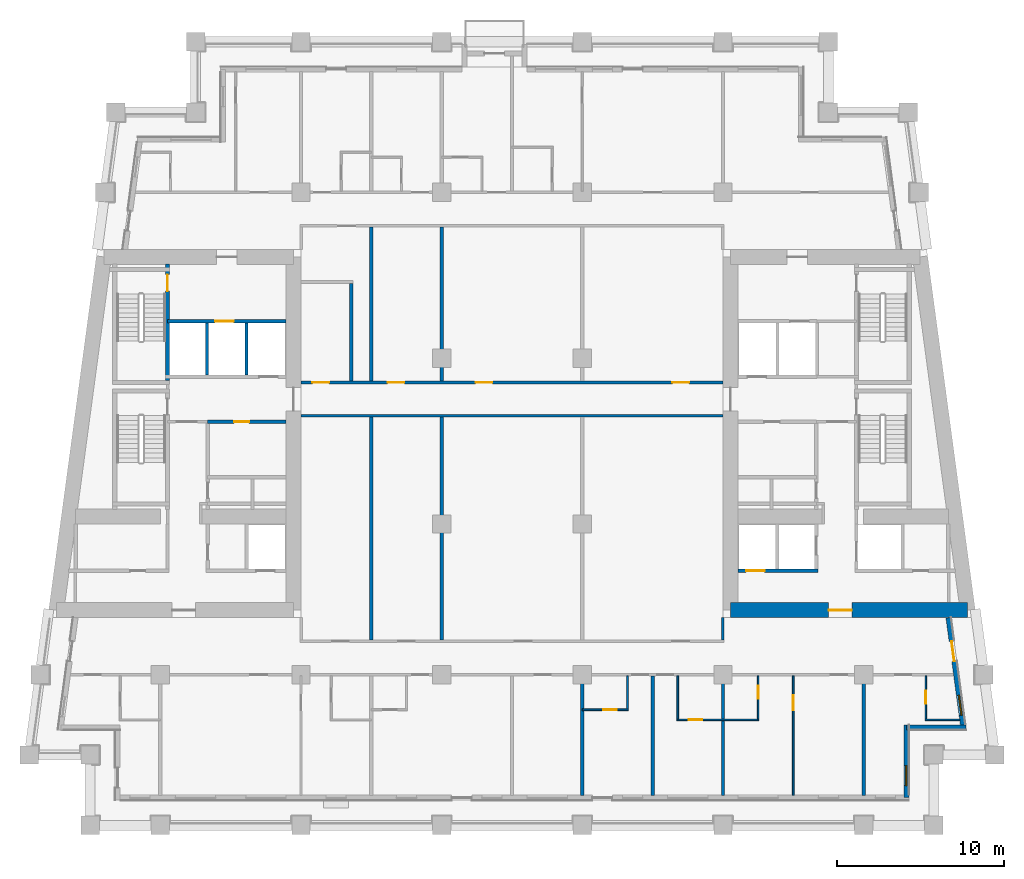
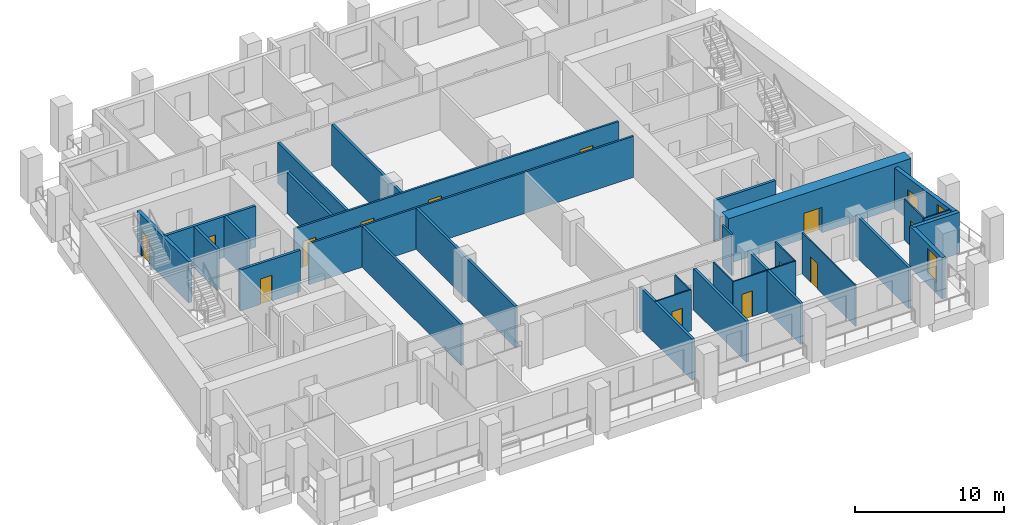
# One storey, part 4 of 12: 30 walls, 15 doors, 2 windows, 17 openings.
"""IFC4 building model written with IfcOpenShell, lengths in metres."""

from ifc_helpers import new_model, si_unit, direction, frame, frame_2d, origin, place, context, subcontext, project, spatial, rectangle, extrude, material, layer, layer_set, type_object, element, fill, save


model = new_model("IFC4")

# Units and contexts
model_context = context("Model", 3, precision=1e-05, world=origin(), true_north=direction((0.0, 1.0)))
body_context = subcontext(model_context, "Body", "Model", "MODEL_VIEW")
ifc_project = project(units=[si_unit("LENGTHUNIT", "METRE"), si_unit("AREAUNIT", "SQUARE_METRE"), si_unit("VOLUMEUNIT", "CUBIC_METRE"), si_unit("PLANEANGLEUNIT", "RADIAN"), si_unit("MASSUNIT", "GRAM", prefix="KILO")], contexts=[model_context])

# Site, building, storey
site_placement = place(None, origin())
site = spatial("IfcSite", under=ifc_project, at=site_placement, CompositionType="ELEMENT")
building_placement = place(site_placement, origin())
building = spatial("IfcBuilding", under=site, at=building_placement, Name="Candeia Pilgrim Tower and Theatre", CompositionType="ELEMENT")
storey_placement = place(building_placement, frame((0.0, 0.0, 184.800048828125)))
storey = spatial("IfcBuildingStorey", under=building, at=storey_placement, Name="L44", CompositionType="ELEMENT", Elevation=184.800048828125)

# Wall, opening, door
ifc_material_1 = material(Name="Concrete C60/75", Category="concrete")
ifc_layer_1 = layer(ifc_material_1, 0.89990234375)
ifc_layer_set_1 = layer_set([ifc_layer_1], Name="Core wall 900 C60/75")
wall_type_1 = type_object("IfcWallType", Name="Core wall 900 C60/75", PredefinedType="SHEAR", material=ifc_layer_set_1)
wall_1_placement = place(storey_placement, frame((140.6162109375, 110.85009765625, 0.0), z_axis=(0.0, 0.0, 1.0), x_axis=(-1.0, 0.0, 0.0)))
wall_1 = element("IfcWall", 1, at=wall_1_placement, inside=storey, type_object=wall_type_1, Name="Core wall E3", PredefinedType="SHEAR", context=body_context, shape_type="SweptSolid", body=[
    extrude(rectangle(XDim=14.166259765625, YDim=0.89990234375, at=frame_2d((7.0830078125, 0.0))), origin(), (0.0, 0.0, 1.0), 3.699951171875),
])
opening_1_placement = place(wall_1_placement, frame((6.911376953125, 0.0, 0.0)))
opening_1 = element("IfcOpeningElement", 2, at=opening_1_placement, cuts=wall_1, Name="Opening L44-D056", PredefinedType="OPENING", context=body_context, shape_type="SweptSolid", body=[
    extrude(rectangle(XDim=1.39990234375, YDim=2.10009765625, at=frame_2d((0.699951171875, 1.050048828125))), frame((0.0, 0.4599609375, 0.0), z_axis=(0.0, -1.0, 0.0), x_axis=(1.0, 0.0, 0.0)), (0.0, 0.0, 1.0), 0.919921875),
])
ifc_material_2 = material(Name="Steel fire door set", Category="steel")
door_type_1 = type_object("IfcDoorType", Name="D-1400-FD60", OperationType="NOTDEFINED", PredefinedType="DOOR", material=ifc_material_2)
door_1_placement = place(opening_1_placement, origin())
door_1 = element("IfcDoor", 3, at=door_1_placement, inside=storey, type_object=door_type_1, Name="Door L44-D056", OperationType="SINGLE_SWING_RIGHT", OverallHeight=2.10009765625, OverallWidth=1.39990234375, PredefinedType="DOOR", context=body_context, shape_type="SweptSolid", body=[
    extrude(rectangle(XDim=1.39990234375, YDim=2.10009765625, at=frame_2d((0.699951171875, 1.050048828125))), frame((0.0, 0.02490234375, 0.0), z_axis=(0.0, -1.0, 0.0), x_axis=(1.0, 0.0, 0.0)), (0.0, 0.0, 1.0), 0.050048828125),
])
fill(opening_1, door_1)

# Wall, opening, window
ifc_material_3 = material(Name="Ceramic block masonry", Category="masonry")
ifc_layer_2 = layer(ifc_material_3, 0.300048828125)
ifc_layer_set_2 = layer_set([ifc_layer_2], Name="EW1 glazing-line wall 300")
wall_type_2 = type_object("IfcWallType", Name="EW1 glazing-line wall 300", PredefinedType="SOLIDWALL", material=ifc_layer_set_2)
wall_2_placement = place(storey_placement, frame((136.949951171875, 99.64990234375, 0.0), z_axis=(0.0, 0.0, 1.0), x_axis=(0.0, 1.0, 0.0)))
wall_2 = element("IfcWall", 4, at=wall_2_placement, inside=storey, type_object=wall_type_2, Name="External wall L44-1.0", PredefinedType="SOLIDWALL", context=body_context, shape_type="SweptSolid", body=[
    extrude(rectangle(XDim=4.35009765625, YDim=0.300048828125, at=frame_2d((2.175048828125, 0.0))), origin(), (0.0, 0.0, 1.0), 3.3798828125),
])
opening_2_placement = place(wall_2_placement, frame((0.72509765625, 0.0, 0.89990234375)))
opening_2 = element("IfcOpeningElement", 5, at=opening_2_placement, cuts=wall_2, Name="Opening W-B", PredefinedType="OPENING", context=body_context, shape_type="SweptSolid", body=[
    extrude(rectangle(XDim=1.199951171875, YDim=2.10009765625, at=frame_2d((0.60009765625, 1.050048828125))), frame((0.0, 0.16015625, 0.0), z_axis=(0.0, -1.0, 0.0), x_axis=(1.0, 0.0, 0.0)), (0.0, 0.0, 1.0), 0.320068359375),
])
ifc_material_4 = material(Name="Aluminium framed double glazing", Category="aluminium")
window_type = type_object("IfcWindowType", Name="W-B window 1200x2100", PartitioningType="SINGLE_PANEL", PredefinedType="WINDOW", material=ifc_material_4)
window_1_placement = place(opening_2_placement, origin())
window_1 = element("IfcWindow", 6, at=window_1_placement, inside=storey, type_object=window_type, Name="Window W-B L44", OverallHeight=2.10009765625, OverallWidth=1.199951171875, PartitioningType="SINGLE_PANEL", PredefinedType="WINDOW", context=body_context, shape_type="SweptSolid", body=[
    extrude(rectangle(XDim=1.199951171875, YDim=2.10009765625, at=frame_2d((0.60009765625, 1.050048828125))), frame((0.0, 0.030029296875, 0.0), z_axis=(0.0, -1.0, 0.0), x_axis=(1.0, 0.0, 0.0)), (0.0, 0.0, 1.0), 0.06005859375),
])
fill(opening_2, window_1)

# Wall
wall_3_placement = place(storey_placement, frame((136.949951171875, 103.85009765625, 0.0), z_axis=(0.0, 0.0, 1.0), x_axis=(1.0, 0.0, 0.0)))
element("IfcWall", 7, at=wall_3_placement, inside=storey, type_object=wall_type_2, Name="External wall L44-2.0", PredefinedType="SOLIDWALL", context=body_context, shape_type="SweptSolid", body=[
    extrude(rectangle(XDim=3.569091796875, YDim=0.300048828125, at=frame_2d((1.78466796875, 0.0))), origin(), (0.0, 0.0, 1.0), 3.3798828125),
])

# Wall, openings, door, window
wall_4_placement = place(storey_placement, frame((140.34765625, 103.85009765625, 0.0), z_axis=(0.0, 0.0, 1.0), x_axis=(-0.133431549479, 0.991058031401, 0.0)))
wall_4 = element("IfcWall", 8, at=wall_4_placement, inside=storey, type_object=wall_type_2, Name="External wall L44-3.0", PredefinedType="SOLIDWALL", context=body_context, shape_type="SweptSolid", body=[
    extrude(rectangle(XDim=6.60888671875, YDim=0.300048828125, at=frame_2d((3.304443359375, 0.0))), origin(), (0.0, 0.0, 1.0), 3.3798828125),
])
opening_3_placement = place(wall_4_placement, frame((0.736572265625, 0.0, 0.89990234375)))
opening_3 = element("IfcOpeningElement", 9, at=opening_3_placement, cuts=wall_4, Name="Opening W-B", PredefinedType="OPENING", context=body_context, shape_type="SweptSolid", body=[
    extrude(rectangle(XDim=1.199951171875, YDim=2.10009765625, at=frame_2d((0.60009765625, 1.050048828125))), frame((0.0, 0.16015625, 0.0), z_axis=(0.0, -1.0, 0.0), x_axis=(1.0, 0.0, 0.0)), (0.0, 0.0, 1.0), 0.320068359375),
])
opening_4_placement = place(wall_4_placement, frame((3.990966796875, 0.0, 0.0)))
opening_4 = element("IfcOpeningElement", 10, at=opening_4_placement, cuts=wall_4, Name="Opening L44-ED422", PredefinedType="OPENING", context=body_context, shape_type="SweptSolid", body=[
    extrude(rectangle(XDim=1.199951171875, YDim=2.39990234375, at=frame_2d((0.60009765625, 1.199951171875))), frame((0.0, 0.16015625, 0.0), z_axis=(0.0, -1.0, 0.0), x_axis=(1.0, 0.0, 0.0)), (0.0, 0.0, 1.0), 0.320068359375),
])
ifc_material_5 = material(Name="Aluminium framed glazed door", Category="aluminium")
door_type_2 = type_object("IfcDoorType", Name="Loggia door 1200x2400", OperationType="DOUBLE_DOOR_SINGLE_SWING", PredefinedType="DOOR", material=ifc_material_5)
door_2_placement = place(opening_4_placement, origin())
door_2 = element("IfcDoor", 11, at=door_2_placement, inside=storey, type_object=door_type_2, Name="Loggia door L44-ED422", OperationType="DOUBLE_DOOR_SINGLE_SWING", OverallHeight=2.39990234375, OverallWidth=1.199951171875, PredefinedType="DOOR", context=body_context, shape_type="SweptSolid", body=[
    extrude(rectangle(XDim=1.199951171875, YDim=2.39990234375, at=frame_2d((0.60009765625, 1.199951171875))), frame((0.0, 0.02490234375, 0.0), z_axis=(0.0, -1.0, 0.0), x_axis=(1.0, 0.0, 0.0)), (0.0, 0.0, 1.0), 0.050048828125),
])
fill(opening_4, door_2)
window_2_placement = place(opening_3_placement, origin())
window_2 = element("IfcWindow", 12, at=window_2_placement, inside=storey, type_object=window_type, Name="Window W-B L44", OverallHeight=2.10009765625, OverallWidth=1.199951171875, PartitioningType="SINGLE_PANEL", PredefinedType="WINDOW", context=body_context, shape_type="SweptSolid", body=[
    extrude(rectangle(XDim=1.199951171875, YDim=2.10009765625, at=frame_2d((0.60009765625, 1.050048828125))), frame((0.0, 0.030029296875, 0.0), z_axis=(0.0, -1.0, 0.0), x_axis=(1.0, 0.0, 0.0)), (0.0, 0.0, 1.0), 0.06005859375),
])
fill(opening_3, window_2)

# Wall, opening, door
ifc_material_6 = material(Name="Gypsum board partition on steel studs", Category="steel")
ifc_layer_3 = layer(ifc_material_6, 0.10009765625)
ifc_layer_set_3 = layer_set([ifc_layer_3], Name="PW-100 room partition")
wall_type_3 = type_object("IfcWallType", Name="PW-100 room partition", PredefinedType="PARTITIONING", material=ifc_layer_set_3)
wall_5_placement = place(storey_placement, frame((123.25, 104.300048828125, 0.0), z_axis=(0.0, 0.0, 1.0), x_axis=(1.0, 0.0, 0.0)))
wall_5 = element("IfcWall", 13, at=wall_5_placement, inside=storey, type_object=wall_type_3, Name="Room partition L44-003", PredefinedType="PARTITIONING", context=body_context, shape_type="SweptSolid", body=[
    extrude(rectangle(XDim=4.89990234375, YDim=0.10009765625, at=frame_2d((2.449951171875, 0.0))), origin(), (0.0, 0.0, 1.0), 3.3798828125),
])
opening_5_placement = place(wall_5_placement, frame((0.699951171875, 0.0, 0.0)))
opening_5 = element("IfcOpeningElement", 14, at=opening_5_placement, cuts=wall_5, Name="Opening L44-D025", PredefinedType="OPENING", context=body_context, shape_type="SweptSolid", body=[
    extrude(rectangle(XDim=0.800048828125, YDim=2.10009765625, at=frame_2d((0.39990234375, 1.050048828125))), frame((0.0, 0.06005859375, 0.0), z_axis=(0.0, -1.0, 0.0), x_axis=(1.0, 0.0, 0.0)), (0.0, 0.0, 1.0), 0.1201171875),
])
ifc_material_7 = material(Name="Timber door leaf", Category="wood")
door_type_3 = type_object("IfcDoorType", Name="D-800", OperationType="NOTDEFINED", PredefinedType="DOOR", material=ifc_material_7)
door_3_placement = place(opening_5_placement, origin())
door_3 = element("IfcDoor", 15, at=door_3_placement, inside=storey, type_object=door_type_3, Name="Door L44-D025", OperationType="SINGLE_SWING_LEFT", OverallHeight=2.10009765625, OverallWidth=0.800048828125, PredefinedType="DOOR", context=body_context, shape_type="SweptSolid", body=[
    extrude(rectangle(XDim=0.800048828125, YDim=2.10009765625, at=frame_2d((0.39990234375, 1.050048828125))), frame((0.0, 0.02490234375, 0.0), z_axis=(0.0, -1.0, 0.0), x_axis=(1.0, 0.0, 0.0)), (0.0, 0.0, 1.0), 0.050048828125),
])
fill(opening_5, door_3)

# Wall
wall_6_placement = place(storey_placement, frame((138.070068359375, 104.300048828125, 0.0), z_axis=(0.0, 0.0, 1.0), x_axis=(1.0, 0.0, 0.0)))
element("IfcWall", 16, at=wall_6_placement, inside=storey, type_object=wall_type_3, Name="Room partition L44-004", PredefinedType="PARTITIONING", context=body_context, shape_type="SweptSolid", body=[
    extrude(rectangle(XDim=2.07568359375, YDim=0.10009765625, at=frame_2d((1.037841796875, 0.0))), origin(), (0.0, 0.0, 1.0), 3.3798828125),
])

# Wall, opening, door
wall_7_placement = place(storey_placement, frame((117.60009765625, 104.89990234375, 0.0), z_axis=(0.0, 0.0, 1.0), x_axis=(1.0, 0.0, 0.0)))
wall_7 = element("IfcWall", 17, at=wall_7_placement, inside=storey, type_object=wall_type_3, Name="Room partition L44-006", PredefinedType="PARTITIONING", context=body_context, shape_type="SweptSolid", body=[
    extrude(rectangle(XDim=2.75, YDim=0.10009765625, at=frame_2d((1.375, 0.0))), origin(), (0.0, 0.0, 1.0), 3.3798828125),
])
opening_6_placement = place(wall_7_placement, frame((1.25, 0.0, 0.0)))
opening_6 = element("IfcOpeningElement", 18, at=opening_6_placement, cuts=wall_7, Name="Opening L44-D023", PredefinedType="OPENING", context=body_context, shape_type="SweptSolid", body=[
    extrude(rectangle(XDim=0.800048828125, YDim=2.10009765625, at=frame_2d((0.39990234375, 1.050048828125))), frame((0.0, 0.06005859375, 0.0), z_axis=(0.0, -1.0, 0.0), x_axis=(1.0, 0.0, 0.0)), (0.0, 0.0, 1.0), 0.1201171875),
])
door_4_placement = place(opening_6_placement, origin())
door_4 = element("IfcDoor", 19, at=door_4_placement, inside=storey, type_object=door_type_3, Name="Door L44-D023", OperationType="SINGLE_SWING_LEFT", OverallHeight=2.10009765625, OverallWidth=0.800048828125, PredefinedType="DOOR", context=body_context, shape_type="SweptSolid", body=[
    extrude(rectangle(XDim=0.800048828125, YDim=2.10009765625, at=frame_2d((0.39990234375, 1.050048828125))), frame((0.0, 0.02490234375, 0.0), z_axis=(0.0, -1.0, 0.0), x_axis=(1.0, 0.0, 0.0)), (0.0, 0.0, 1.0), 0.050048828125),
])
fill(opening_6, door_4)

# Walls
wall_8_placement = place(storey_placement, frame((120.300048828125, 104.949951171875, 0.0), z_axis=(0.0, 0.0, 1.0), x_axis=(0.0, 1.0, 0.0)))
element("IfcWall", 20, at=wall_8_placement, inside=storey, type_object=wall_type_3, Name="Room partition L44-091", PredefinedType="PARTITIONING", context=body_context, shape_type="SweptSolid", body=[
    extrude(rectangle(XDim=1.97509765625, YDim=0.10009765625, at=frame_2d((0.987548828125, 0.0))), origin(), (0.0, 0.0, 1.0), 3.3798828125),
])
wall_9_placement = place(storey_placement, frame((123.300048828125, 104.35009765625, 0.0), z_axis=(0.0, 0.0, 1.0), x_axis=(0.0, 1.0, 0.0)))
element("IfcWall", 21, at=wall_9_placement, inside=storey, type_object=wall_type_3, Name="Room partition L44-093", PredefinedType="PARTITIONING", context=body_context, shape_type="SweptSolid", body=[
    extrude(rectangle(XDim=2.574951171875, YDim=0.10009765625, at=frame_2d((1.28759765625, 0.0))), origin(), (0.0, 0.0, 1.0), 3.3798828125),
])

# Wall, opening, door
wall_10_placement = place(storey_placement, frame((128.10009765625, 104.35009765625, 0.0), z_axis=(0.0, 0.0, 1.0), x_axis=(0.0, 1.0, 0.0)))
wall_10 = element("IfcWall", 22, at=wall_10_placement, inside=storey, type_object=wall_type_3, Name="Room partition L44-098", PredefinedType="PARTITIONING", context=body_context, shape_type="SweptSolid", body=[
    extrude(rectangle(XDim=2.574951171875, YDim=0.10009765625, at=frame_2d((1.28759765625, 0.0))), origin(), (0.0, 0.0, 1.0), 3.3798828125),
])
opening_7_placement = place(wall_10_placement, frame((1.199951171875, 0.0, 0.0)))
opening_7 = element("IfcOpeningElement", 23, at=opening_7_placement, cuts=wall_10, Name="Opening L44-D028", PredefinedType="OPENING", context=body_context, shape_type="SweptSolid", body=[
    extrude(rectangle(XDim=0.800048828125, YDim=2.10009765625, at=frame_2d((0.39990234375, 1.050048828125))), frame((0.0, 0.06005859375, 0.0), z_axis=(0.0, -1.0, 0.0), x_axis=(1.0, 0.0, 0.0)), (0.0, 0.0, 1.0), 0.1201171875),
])
door_5_placement = place(opening_7_placement, origin())
door_5 = element("IfcDoor", 24, at=door_5_placement, inside=storey, type_object=door_type_3, Name="Door L44-D028", OperationType="SINGLE_SWING_RIGHT", OverallHeight=2.10009765625, OverallWidth=0.800048828125, PredefinedType="DOOR", context=body_context, shape_type="SweptSolid", body=[
    extrude(rectangle(XDim=0.800048828125, YDim=2.10009765625, at=frame_2d((0.39990234375, 1.050048828125))), frame((0.0, 0.02490234375, 0.0), z_axis=(0.0, -1.0, 0.0), x_axis=(1.0, 0.0, 0.0)), (0.0, 0.0, 1.0), 0.050048828125),
])
fill(opening_7, door_5)

wall_11_placement = place(storey_placement, frame((130.199951171875, 99.7900390625, 0.0), z_axis=(0.0, 0.0, 1.0), x_axis=(0.0, 1.0, 0.0)))
wall_11 = element("IfcWall", 25, at=wall_11_placement, inside=storey, type_object=wall_type_3, Name="Room partition L44-102", PredefinedType="PARTITIONING", context=body_context, shape_type="SweptSolid", body=[
    extrude(rectangle(XDim=7.135009765625, YDim=0.10009765625, at=frame_2d((3.5673828125, 0.0))), origin(), (0.0, 0.0, 1.0), 3.3798828125),
])
opening_8_placement = place(wall_11_placement, frame((5.074951171875, 0.0, 0.0)))
opening_8 = element("IfcOpeningElement", 26, at=opening_8_placement, cuts=wall_11, Name="Opening L44-D027", PredefinedType="OPENING", context=body_context, shape_type="SweptSolid", body=[
    extrude(rectangle(XDim=0.89990234375, YDim=2.10009765625, at=frame_2d((0.449951171875, 1.050048828125))), frame((0.0, 0.06005859375, 0.0), z_axis=(0.0, -1.0, 0.0), x_axis=(1.0, 0.0, 0.0)), (0.0, 0.0, 1.0), 0.1201171875),
])
door_type_4 = type_object("IfcDoorType", Name="D-900", OperationType="NOTDEFINED", PredefinedType="DOOR", material=ifc_material_7)
door_6_placement = place(opening_8_placement, origin())
door_6 = element("IfcDoor", 27, at=door_6_placement, inside=storey, type_object=door_type_4, Name="Door L44-D027", OperationType="SINGLE_SWING_LEFT", OverallHeight=2.10009765625, OverallWidth=0.89990234375, PredefinedType="DOOR", context=body_context, shape_type="SweptSolid", body=[
    extrude(rectangle(XDim=0.89990234375, YDim=2.10009765625, at=frame_2d((0.449951171875, 1.050048828125))), frame((0.0, 0.02490234375, 0.0), z_axis=(0.0, -1.0, 0.0), x_axis=(1.0, 0.0, 0.0)), (0.0, 0.0, 1.0), 0.050048828125),
])
fill(opening_8, door_6)

wall_12_placement = place(storey_placement, frame((138.1201171875, 104.35009765625, 0.0), z_axis=(0.0, 0.0, 1.0), x_axis=(0.0, 1.0, 0.0)))
wall_12 = element("IfcWall", 28, at=wall_12_placement, inside=storey, type_object=wall_type_3, Name="Room partition L44-116", PredefinedType="PARTITIONING", context=body_context, shape_type="SweptSolid", body=[
    extrude(rectangle(XDim=2.574951171875, YDim=0.10009765625, at=frame_2d((1.28759765625, 0.0))), origin(), (0.0, 0.0, 1.0), 3.3798828125),
])
opening_9_placement = place(wall_12_placement, frame((0.89990234375, 0.0, 0.0)))
opening_9 = element("IfcOpeningElement", 29, at=opening_9_placement, cuts=wall_12, Name="Opening L44-D030", PredefinedType="OPENING", context=body_context, shape_type="SweptSolid", body=[
    extrude(rectangle(XDim=0.800048828125, YDim=2.10009765625, at=frame_2d((0.39990234375, 1.050048828125))), frame((0.0, 0.06005859375, 0.0), z_axis=(0.0, -1.0, 0.0), x_axis=(1.0, 0.0, 0.0)), (0.0, 0.0, 1.0), 0.1201171875),
])
door_7_placement = place(opening_9_placement, origin())
door_7 = element("IfcDoor", 30, at=door_7_placement, inside=storey, type_object=door_type_3, Name="Door L44-D030", OperationType="SINGLE_SWING_RIGHT", OverallHeight=2.10009765625, OverallWidth=0.800048828125, PredefinedType="DOOR", context=body_context, shape_type="SweptSolid", body=[
    extrude(rectangle(XDim=0.800048828125, YDim=2.10009765625, at=frame_2d((0.39990234375, 1.050048828125))), frame((0.0, 0.02490234375, 0.0), z_axis=(0.0, -1.0, 0.0), x_axis=(1.0, 0.0, 0.0)), (0.0, 0.0, 1.0), 0.050048828125),
])
fill(opening_9, door_7)

# Wall
ifc_layer_4 = layer(ifc_material_6, 0.14990234375)
ifc_layer_set_4 = layer_set([ifc_layer_4], Name="PW-150 unit wall")
wall_type_4 = type_object("IfcWallType", Name="PW-150 unit wall", PredefinedType="PARTITIONING", material=ifc_layer_set_4)
wall_13_placement = place(storey_placement, frame((100.800048828125, 122.449951171875, 0.0), z_axis=(0.0, 0.0, 1.0), x_axis=(1.0, 0.0, 0.0)))
element("IfcWall", 31, at=wall_13_placement, inside=storey, type_object=wall_type_4, Name="Unit wall L44-025", PredefinedType="PARTITIONING", context=body_context, shape_type="SweptSolid", body=[
    extrude(rectangle(XDim=25.199951171875, YDim=0.14990234375, at=frame_2d((12.60009765625, 0.0))), origin(), (0.0, 0.0, 1.0), 3.3798828125),
])

# Wall, openings, doors
wall_14_placement = place(storey_placement, frame((100.800048828125, 124.449951171875, 0.0), z_axis=(0.0, 0.0, 1.0), x_axis=(1.0, 0.0, 0.0)))
wall_14 = element("IfcWall", 32, at=wall_14_placement, inside=storey, type_object=wall_type_4, Name="Unit wall L44-030", PredefinedType="PARTITIONING", context=body_context, shape_type="SweptSolid", body=[
    extrude(rectangle(XDim=25.199951171875, YDim=0.14990234375, at=frame_2d((12.60009765625, 0.0))), origin(), (0.0, 0.0, 1.0), 3.3798828125),
])
opening_10_placement = place(wall_14_placement, frame((0.675048828125, 0.0, 0.0)))
opening_10 = element("IfcOpeningElement", 33, at=opening_10_placement, cuts=wall_14, Name="Opening L44-D049", PredefinedType="OPENING", context=body_context, shape_type="SweptSolid", body=[
    extrude(rectangle(XDim=1.0, YDim=2.10009765625, at=frame_2d((0.5, 1.050048828125))), frame((0.0, 0.0849609375, 0.0), z_axis=(0.0, -1.0, 0.0), x_axis=(1.0, 0.0, 0.0)), (0.0, 0.0, 1.0), 0.169921875),
])
opening_11_placement = place(wall_14_placement, frame((5.175048828125, 0.0, 0.0)))
opening_11 = element("IfcOpeningElement", 34, at=opening_11_placement, cuts=wall_14, Name="Opening L44-D050", PredefinedType="OPENING", context=body_context, shape_type="SweptSolid", body=[
    extrude(rectangle(XDim=1.0, YDim=2.10009765625, at=frame_2d((0.5, 1.050048828125))), frame((0.0, 0.0849609375, 0.0), z_axis=(0.0, -1.0, 0.0), x_axis=(1.0, 0.0, 0.0)), (0.0, 0.0, 1.0), 0.169921875),
])
opening_12_placement = place(wall_14_placement, frame((10.425048828125, 0.0, 0.0)))
opening_12 = element("IfcOpeningElement", 35, at=opening_12_placement, cuts=wall_14, Name="Opening L44-D051", PredefinedType="OPENING", context=body_context, shape_type="SweptSolid", body=[
    extrude(rectangle(XDim=1.0, YDim=2.10009765625, at=frame_2d((0.5, 1.050048828125))), frame((0.0, 0.0849609375, 0.0), z_axis=(0.0, -1.0, 0.0), x_axis=(1.0, 0.0, 0.0)), (0.0, 0.0, 1.0), 0.169921875),
])
opening_13_placement = place(wall_14_placement, frame((22.175048828125, 0.0, 0.0)))
opening_13 = element("IfcOpeningElement", 36, at=opening_13_placement, cuts=wall_14, Name="Opening L44-D052", PredefinedType="OPENING", context=body_context, shape_type="SweptSolid", body=[
    extrude(rectangle(XDim=1.0, YDim=2.10009765625, at=frame_2d((0.5, 1.050048828125))), frame((0.0, 0.0849609375, 0.0), z_axis=(0.0, -1.0, 0.0), x_axis=(1.0, 0.0, 0.0)), (0.0, 0.0, 1.0), 0.169921875),
])
door_type_5 = type_object("IfcDoorType", Name="D-1000-FD30S", OperationType="NOTDEFINED", PredefinedType="DOOR", material=ifc_material_2)
door_8_placement = place(opening_10_placement, origin())
door_8 = element("IfcDoor", 37, at=door_8_placement, inside=storey, type_object=door_type_5, Name="Door L44-D049", OperationType="SINGLE_SWING_LEFT", OverallHeight=2.10009765625, OverallWidth=1.0, PredefinedType="DOOR", context=body_context, shape_type="SweptSolid", body=[
    extrude(rectangle(XDim=1.0, YDim=2.10009765625, at=frame_2d((0.5, 1.050048828125))), frame((0.0, 0.02490234375, 0.0), z_axis=(0.0, -1.0, 0.0), x_axis=(1.0, 0.0, 0.0)), (0.0, 0.0, 1.0), 0.050048828125),
])
fill(opening_10, door_8)
door_9_placement = place(opening_11_placement, origin())
door_9 = element("IfcDoor", 38, at=door_9_placement, inside=storey, type_object=door_type_5, Name="Door L44-D050", OperationType="SINGLE_SWING_RIGHT", OverallHeight=2.10009765625, OverallWidth=1.0, PredefinedType="DOOR", context=body_context, shape_type="SweptSolid", body=[
    extrude(rectangle(XDim=1.0, YDim=2.10009765625, at=frame_2d((0.5, 1.050048828125))), frame((0.0, 0.02490234375, 0.0), z_axis=(0.0, -1.0, 0.0), x_axis=(1.0, 0.0, 0.0)), (0.0, 0.0, 1.0), 0.050048828125),
])
fill(opening_11, door_9)
door_10_placement = place(opening_12_placement, origin())
door_10 = element("IfcDoor", 39, at=door_10_placement, inside=storey, type_object=door_type_5, Name="Door L44-D051", OperationType="SINGLE_SWING_LEFT", OverallHeight=2.10009765625, OverallWidth=1.0, PredefinedType="DOOR", context=body_context, shape_type="SweptSolid", body=[
    extrude(rectangle(XDim=1.0, YDim=2.10009765625, at=frame_2d((0.5, 1.050048828125))), frame((0.0, 0.02490234375, 0.0), z_axis=(0.0, -1.0, 0.0), x_axis=(1.0, 0.0, 0.0)), (0.0, 0.0, 1.0), 0.050048828125),
])
fill(opening_12, door_10)
door_11_placement = place(opening_13_placement, origin())
door_11 = element("IfcDoor", 40, at=door_11_placement, inside=storey, type_object=door_type_5, Name="Door L44-D052", OperationType="SINGLE_SWING_RIGHT", OverallHeight=2.10009765625, OverallWidth=1.0, PredefinedType="DOOR", context=body_context, shape_type="SweptSolid", body=[
    extrude(rectangle(XDim=1.0, YDim=2.10009765625, at=frame_2d((0.5, 1.050048828125))), frame((0.0, 0.02490234375, 0.0), z_axis=(0.0, -1.0, 0.0), x_axis=(1.0, 0.0, 0.0)), (0.0, 0.0, 1.0), 0.050048828125),
])
fill(opening_13, door_11)

# Walls
wall_15_placement = place(storey_placement, frame((126.0, 109.074951171875, 0.0), z_axis=(0.0, 0.0, 1.0), x_axis=(0.0, 1.0, 0.0)))
element("IfcWall", 41, at=wall_15_placement, inside=storey, type_object=wall_type_4, Name="Unit wall L44-096", PredefinedType="PARTITIONING", context=body_context, shape_type="SweptSolid", body=[
    extrude(rectangle(XDim=1.324951171875, YDim=0.14990234375, at=frame_2d((0.66259765625, 0.0))), origin(), (0.0, 0.0, 1.0), 3.3798828125),
])
ifc_layer_5 = layer(ifc_material_6, 0.199951171875)
ifc_layer_set_5 = layer_set([ifc_layer_5], Name="PW-200 party wall")
wall_type_5 = type_object("IfcWallType", Name="PW-200 party wall", PredefinedType="PARTITIONING", material=ifc_layer_set_5)
wall_16_placement = place(storey_placement, frame((103.800048828125, 124.52490234375, 0.0), z_axis=(0.0, 0.0, 1.0), x_axis=(0.0, 1.0, 0.0)))
element("IfcWall", 42, at=wall_16_placement, inside=storey, type_object=wall_type_5, Name="Party wall L44-073", PredefinedType="PARTITIONING", context=body_context, shape_type="SweptSolid", body=[
    extrude(rectangle(XDim=5.8251953125, YDim=0.199951171875, at=frame_2d((2.91259765625, 0.0))), origin(), (0.0, 0.0, 1.0), 3.3798828125),
])
wall_17_placement = place(storey_placement, frame((105.0, 109.074951171875, 0.0), z_axis=(0.0, 0.0, 1.0), x_axis=(0.0, 1.0, 0.0)))
element("IfcWall", 43, at=wall_17_placement, inside=storey, type_object=wall_type_5, Name="Party wall L44-075", PredefinedType="PARTITIONING", context=body_context, shape_type="SweptSolid", body=[
    extrude(rectangle(XDim=13.300048828125, YDim=0.199951171875, at=frame_2d((6.64990234375, 0.0))), origin(), (0.0, 0.0, 1.0), 3.3798828125),
])
wall_18_placement = place(storey_placement, frame((105.0, 124.52490234375, 0.0), z_axis=(0.0, 0.0, 1.0), x_axis=(0.0, 1.0, 0.0)))
element("IfcWall", 44, at=wall_18_placement, inside=storey, type_object=wall_type_5, Name="Party wall L44-076", PredefinedType="PARTITIONING", context=body_context, shape_type="SweptSolid", body=[
    extrude(rectangle(XDim=9.2001953125, YDim=0.199951171875, at=frame_2d((4.60009765625, 0.0))), origin(), (0.0, 0.0, 1.0), 3.3798828125),
])
wall_19_placement = place(storey_placement, frame((109.199951171875, 109.074951171875, 0.0), z_axis=(0.0, 0.0, 1.0), x_axis=(0.0, 1.0, 0.0)))
element("IfcWall", 45, at=wall_19_placement, inside=storey, type_object=wall_type_5, Name="Party wall L44-080", PredefinedType="PARTITIONING", context=body_context, shape_type="SweptSolid", body=[
    extrude(rectangle(XDim=13.300048828125, YDim=0.199951171875, at=frame_2d((6.64990234375, 0.0))), origin(), (0.0, 0.0, 1.0), 3.3798828125),
])
wall_20_placement = place(storey_placement, frame((109.199951171875, 124.52490234375, 0.0), z_axis=(0.0, 0.0, 1.0), x_axis=(0.0, 1.0, 0.0)))
element("IfcWall", 46, at=wall_20_placement, inside=storey, type_object=wall_type_5, Name="Party wall L44-081", PredefinedType="PARTITIONING", context=body_context, shape_type="SweptSolid", body=[
    extrude(rectangle(XDim=9.2001953125, YDim=0.199951171875, at=frame_2d((4.60009765625, 0.0))), origin(), (0.0, 0.0, 1.0), 3.3798828125),
])
for number, where, z_axis, x_axis, name in (
    (47, (117.60009765625, 99.7900390625, 0.0), (0.0, 0.0, 1.0), (0.0, 1.0, 0.0), "Party wall L44-088"),
    (48, (121.800048828125, 99.7900390625, 0.0), (0.0, 0.0, 1.0), (0.0, 1.0, 0.0), "Party wall L44-092"),
    (49, (126.0, 99.7900390625, 0.0), (0.0, 0.0, 1.0), (0.0, 1.0, 0.0), "Party wall L44-094"),
    (50, (134.39990234375, 99.7900390625, 0.0), (0.0, 0.0, 1.0), (0.0, 1.0, 0.0), "Party wall L44-112"),
):
    element("IfcWall", number, at=place(storey_placement, frame(where, z_axis=z_axis, x_axis=x_axis)), inside=storey, type_object=wall_type_5, Name=name, PredefinedType="PARTITIONING", context=body_context, shape_type="SweptSolid", body=[
        extrude(rectangle(XDim=7.135009765625, YDim=0.199951171875, at=frame_2d((3.5673828125, 0.0))), origin(), (0.0, 0.0, 1.0), 3.3798828125),
    ])

# Wall, opening, door
ifc_material_8 = material(Name="Concrete C40/50", Category="concrete")
ifc_layer_6 = layer(ifc_material_8, 0.199951171875)
ifc_layer_set_6 = layer_set([ifc_layer_6], Name="SW-200 shaft wall")
wall_type_6 = type_object("IfcWallType", Name="SW-200 shaft wall", PredefinedType="PARTITIONING", material=ifc_layer_set_6)
wall_21_placement = place(storey_placement, frame((126.89990234375, 113.199951171875, 0.0), z_axis=(0.0, 0.0, 1.0), x_axis=(1.0, 0.0, 0.0)))
wall_21 = element("IfcWall", 51, at=wall_21_placement, inside=storey, type_object=wall_type_6, Name="Shaft wall L44-011", PredefinedType="PARTITIONING", context=body_context, shape_type="SweptSolid", body=[
    extrude(rectangle(XDim=4.773193359375, YDim=0.199951171875, at=frame_2d((2.38671875, 0.0))), origin(), (0.0, 0.0, 1.0), 3.3798828125),
])
opening_14_placement = place(wall_21_placement, frame((0.48388671875, 0.0, 0.0)))
opening_14 = element("IfcOpeningElement", 52, at=opening_14_placement, cuts=wall_21, Name="Opening L44-LD08", PredefinedType="OPENING", context=body_context, shape_type="SweptSolid", body=[
    extrude(rectangle(XDim=1.10009765625, YDim=2.10009765625, at=frame_2d((0.550048828125, 1.050048828125))), frame((0.0, 0.10986328125, 0.0), z_axis=(0.0, -1.0, 0.0), x_axis=(1.0, 0.0, 0.0)), (0.0, 0.0, 1.0), 0.219970703125),
])
ifc_material_9 = material(Name="Glazed aluminium landing door", Category="aluminium")
door_type_6 = type_object("IfcDoorType", Name="LD-1100-EI120", OperationType="SLIDING_TO_LEFT", PredefinedType="DOOR", material=ifc_material_9)
door_12_placement = place(opening_14_placement, origin())
door_12 = element("IfcDoor", 53, at=door_12_placement, inside=storey, type_object=door_type_6, Name="Landing door 08 L44", OperationType="SLIDING_TO_LEFT", OverallHeight=2.10009765625, OverallWidth=1.10009765625, PredefinedType="DOOR", context=body_context, shape_type="SweptSolid", body=[
    extrude(rectangle(XDim=1.10009765625, YDim=2.10009765625, at=frame_2d((0.550048828125, 1.050048828125))), frame((0.0, 0.02490234375, 0.0), z_axis=(0.0, -1.0, 0.0), x_axis=(1.0, 0.0, 0.0)), (0.0, 0.0, 1.0), 0.050048828125),
])
fill(opening_14, door_12)

wall_22_placement = place(storey_placement, frame((95.22705078125, 122.10009765625, 0.0), z_axis=(0.0, 0.0, 1.0), x_axis=(1.0, 0.0, 0.0)))
wall_22 = element("IfcWall", 54, at=wall_22_placement, inside=storey, type_object=wall_type_6, Name="Shaft wall L44-021", PredefinedType="PARTITIONING", context=body_context, shape_type="SweptSolid", body=[
    extrude(rectangle(XDim=4.6728515625, YDim=0.199951171875, at=frame_2d((2.33642578125, 0.0))), origin(), (0.0, 0.0, 1.0), 3.3798828125),
])
opening_15_placement = place(wall_22_placement, frame((1.5791015625, 0.0, 0.0)))
opening_15 = element("IfcOpeningElement", 55, at=opening_15_placement, cuts=wall_22, Name="Opening L44-D002", PredefinedType="OPENING", context=body_context, shape_type="SweptSolid", body=[
    extrude(rectangle(XDim=0.89990234375, YDim=2.10009765625, at=frame_2d((0.449951171875, 1.050048828125))), frame((0.0, 0.10986328125, 0.0), z_axis=(0.0, -1.0, 0.0), x_axis=(1.0, 0.0, 0.0)), (0.0, 0.0, 1.0), 0.219970703125),
])
door_type_7 = type_object("IfcDoorType", Name="D-900-FD60", OperationType="NOTDEFINED", PredefinedType="DOOR", material=ifc_material_2)
door_13_placement = place(opening_15_placement, origin())
door_13 = element("IfcDoor", 56, at=door_13_placement, inside=storey, type_object=door_type_7, Name="Door L44-D002", OperationType="SINGLE_SWING_RIGHT", OverallHeight=2.10009765625, OverallWidth=0.89990234375, PredefinedType="DOOR", context=body_context, shape_type="SweptSolid", body=[
    extrude(rectangle(XDim=0.89990234375, YDim=2.10009765625, at=frame_2d((0.449951171875, 1.050048828125))), frame((0.0, 0.02490234375, 0.0), z_axis=(0.0, -1.0, 0.0), x_axis=(1.0, 0.0, 0.0)), (0.0, 0.0, 1.0), 0.050048828125),
])
fill(opening_15, door_13)

wall_23_placement = place(storey_placement, frame((92.826904296875, 128.10009765625, 0.0), z_axis=(0.0, 0.0, 1.0), x_axis=(1.0, 0.0, 0.0)))
wall_23 = element("IfcWall", 57, at=wall_23_placement, inside=storey, type_object=wall_type_6, Name="Shaft wall L44-034", PredefinedType="PARTITIONING", context=body_context, shape_type="SweptSolid", body=[
    extrude(rectangle(XDim=7.072998046875, YDim=0.199951171875, at=frame_2d((3.53662109375, 0.0))), origin(), (0.0, 0.0, 1.0), 3.3798828125),
])
opening_16_placement = place(wall_23_placement, frame((2.846923828125, 0.0, 0.0)))
opening_16 = element("IfcOpeningElement", 58, at=opening_16_placement, cuts=wall_23, Name="Opening L44-LD01", PredefinedType="OPENING", context=body_context, shape_type="SweptSolid", body=[
    extrude(rectangle(XDim=1.10009765625, YDim=2.10009765625, at=frame_2d((0.550048828125, 1.050048828125))), frame((0.0, 0.10986328125, 0.0), z_axis=(0.0, -1.0, 0.0), x_axis=(1.0, 0.0, 0.0)), (0.0, 0.0, 1.0), 0.219970703125),
])
door_14_placement = place(opening_16_placement, origin())
door_14 = element("IfcDoor", 59, at=door_14_placement, inside=storey, type_object=door_type_6, Name="Landing door 01 L44", OperationType="SLIDING_TO_LEFT", OverallHeight=2.10009765625, OverallWidth=1.10009765625, PredefinedType="DOOR", context=body_context, shape_type="SweptSolid", body=[
    extrude(rectangle(XDim=1.10009765625, YDim=2.10009765625, at=frame_2d((0.550048828125, 1.050048828125))), frame((0.0, 0.02490234375, 0.0), z_axis=(0.0, -1.0, 0.0), x_axis=(1.0, 0.0, 0.0)), (0.0, 0.0, 1.0), 0.050048828125),
])
fill(opening_16, door_14)

# Walls
for number, where, z_axis, x_axis, name in (
    (60, (95.184814453125, 124.89990234375, 0.0), (0.0, 0.0, 1.0), (0.0, 1.0, 0.0), "Shaft wall L44-060"),
    (61, (97.542236328125, 124.89990234375, 0.0), (0.0, 0.0, 1.0), (0.0, 1.0, 0.0), "Shaft wall L44-064"),
):
    element("IfcWall", number, at=place(storey_placement, frame(where, z_axis=z_axis, x_axis=x_axis)), inside=storey, type_object=wall_type_6, Name=name, PredefinedType="PARTITIONING", context=body_context, shape_type="SweptSolid", body=[
        extrude(rectangle(XDim=3.10009765625, YDim=0.199951171875, at=frame_2d((1.550048828125, 0.0))), origin(), (0.0, 0.0, 1.0), 3.3798828125),
    ])

# Wall, opening, door
ifc_layer_7 = layer(ifc_material_8, 0.25)
ifc_layer_set_7 = layer_set([ifc_layer_7], Name="SW-250 stair wall")
wall_type_7 = type_object("IfcWallType", Name="SW-250 stair wall", PredefinedType="PARTITIONING", material=ifc_layer_set_7)
wall_24_placement = place(storey_placement, frame((92.826904296875, 124.574951171875, 0.0), z_axis=(0.0, 0.0, 1.0), x_axis=(0.0, 1.0, 0.0)))
wall_24 = element("IfcWall", 62, at=wall_24_placement, inside=storey, type_object=wall_type_7, Name="Stair wall L44-057", PredefinedType="PARTITIONING", context=body_context, shape_type="SweptSolid", body=[
    extrude(rectangle(XDim=6.955078125, YDim=0.25, at=frame_2d((3.4775390625, 0.0))), origin(), (0.0, 0.0, 1.0), 3.3798828125),
])
opening_17_placement = place(wall_24_placement, frame((5.324951171875, 0.0, 0.0)))
opening_17 = element("IfcOpeningElement", 63, at=opening_17_placement, cuts=wall_24, Name="Opening L44-D004", PredefinedType="OPENING", context=body_context, shape_type="SweptSolid", body=[
    extrude(rectangle(XDim=1.0, YDim=2.10009765625, at=frame_2d((0.5, 1.050048828125))), frame((0.0, 0.135009765625, 0.0), z_axis=(0.0, -1.0, 0.0), x_axis=(1.0, 0.0, 0.0)), (0.0, 0.0, 1.0), 0.27001953125),
])
door_type_8 = type_object("IfcDoorType", Name="D-1000-FD60", OperationType="NOTDEFINED", PredefinedType="DOOR", material=ifc_material_2)
door_15_placement = place(opening_17_placement, origin())
door_15 = element("IfcDoor", 64, at=door_15_placement, inside=storey, type_object=door_type_8, Name="Door L44-D004", OperationType="SINGLE_SWING_RIGHT", OverallHeight=2.10009765625, OverallWidth=1.0, PredefinedType="DOOR", context=body_context, shape_type="SweptSolid", body=[
    extrude(rectangle(XDim=1.0, YDim=2.10009765625, at=frame_2d((0.5, 1.050048828125))), frame((0.0, 0.02490234375, 0.0), z_axis=(0.0, -1.0, 0.0), x_axis=(1.0, 0.0, 0.0)), (0.0, 0.0, 1.0), 0.050048828125),
])
fill(opening_17, door_15)

save(model, "model.ifc")
